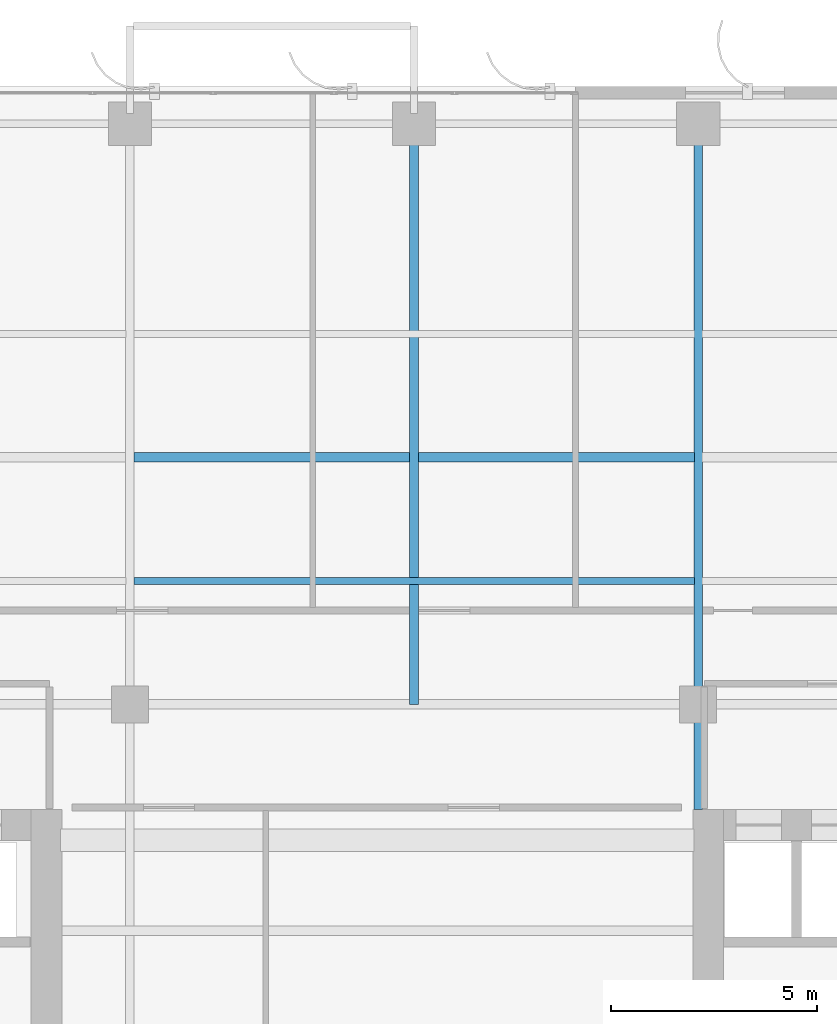
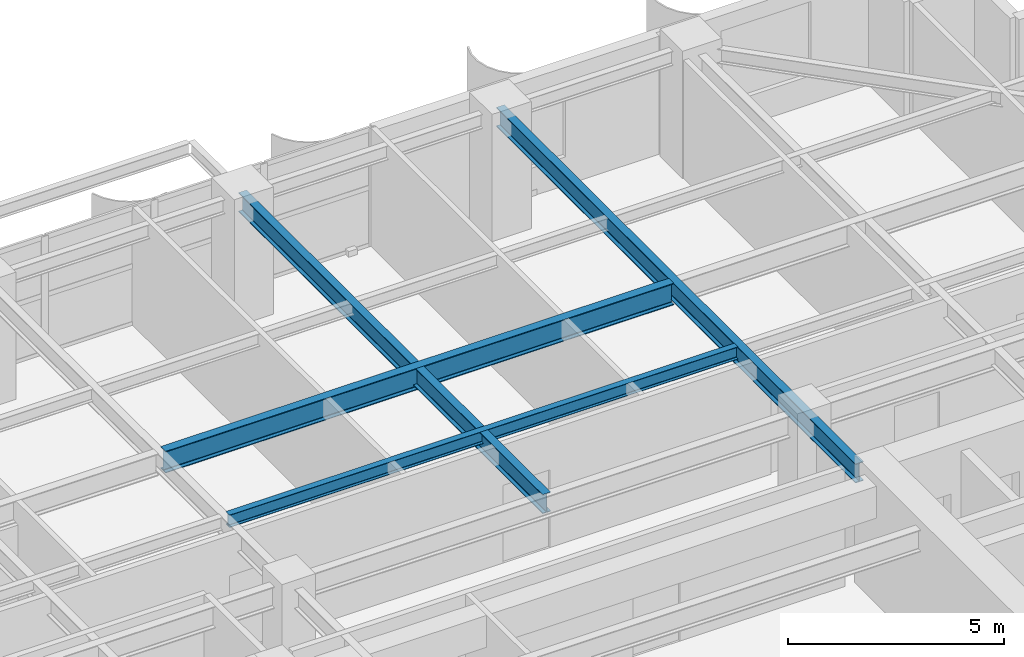
# One storey, part 14 of 27: 4 beams.
"""IFC4 building model written with IfcOpenShell, lengths in metres."""

from ifc_helpers import new_model, si_unit, direction, frame, origin, origin_2d, place, context, subcontext, project, spatial, i_section, extrude, source, transform, mapped, material, material_profile, profile_set, type_object, element, save


model = new_model("IFC4")

# Units and contexts
model_context = context("Model", 3, precision=1e-05, world=origin(), true_north=direction((0.0, 1.0)))
body_context = subcontext(model_context, "Body", "Model", "MODEL_VIEW")
ifc_project = project(units=[si_unit("LENGTHUNIT", "METRE"), si_unit("AREAUNIT", "SQUARE_METRE"), si_unit("VOLUMEUNIT", "CUBIC_METRE"), si_unit("PLANEANGLEUNIT", "RADIAN"), si_unit("MASSUNIT", "GRAM", prefix="KILO")], contexts=[model_context])

# Site, building, storey
site_placement = place(None, origin())
site = spatial("IfcSite", under=ifc_project, at=site_placement, CompositionType="ELEMENT")
building_placement = place(site_placement, origin())
building = spatial("IfcBuilding", under=site, at=building_placement, Name="Khoralis Quay Care Tower", CompositionType="ELEMENT")
storey_placement = place(building_placement, frame((0.0, 0.0, 105.300048828125)))
storey = spatial("IfcBuildingStorey", under=building, at=storey_placement, Name="L27", CompositionType="ELEMENT", Elevation=105.300048828125)

# Beams
ifc_material = material(Name="Steel S355", Category="steel")
ifc_material_profile_1 = material_profile(ifc_material, i_section(OverallWidth=0.22998046875, OverallDepth=0.616943359375, WebThickness=0.01318359375, FlangeThickness=0.022216796875, FilletRadius=0.01806640625, at=origin_2d()), Name="Steel S355")
ifc_profile_set_1 = profile_set([ifc_material_profile_1], Name="Steel S355")
beam_type_1 = type_object("IfcBeamType", Name="BM-W610X140", PredefinedType="BEAM", material=ifc_profile_set_1)
shared_shape_1 = source(origin(), body_context, "Body", "SweptSolid", [
    extrude(i_section(OverallWidth=0.22998046875, OverallDepth=0.616943359375, WebThickness=0.01318359375, FlangeThickness=0.022216796875, FilletRadius=0.01806640625, at=origin_2d()), origin(), (0.0, 0.0, 1.0), 13.61181640625),
])
beam_1_placement = place(storey_placement, frame((17.194091796875, 36.0, 3.031494140625), z_axis=(1.0, 0.0, 0.0), x_axis=(0.0, 1.0, 0.0)))
element("IfcBeam", 1, at=beam_1_placement, inside=storey, type_object=beam_type_1, Name="BM-TGCC-L27-360", PredefinedType="BEAM", context=body_context, shape_type="MappedRepresentation", body=[
    mapped(shared_shape_1, transform((0.0, 0.0, 0.0), scale=1.0)),
])
ifc_material_profile_2 = material_profile(ifc_material, i_section(OverallWidth=0.2119140625, OverallDepth=0.5439453125, WebThickness=0.01318359375, FlangeThickness=0.021240234375, FilletRadius=0.01611328125, at=origin_2d()), Name="Steel S355")
ifc_profile_set_2 = profile_set([ifc_material_profile_2], Name="Steel S355")
beam_type_2 = type_object("IfcBeamType", Name="BM-W530X123", PredefinedType="BEAM", material=ifc_profile_set_2)
shared_shape_2 = source(origin(), body_context, "Body", "SweptSolid", [
    extrude(i_section(OverallWidth=0.2119140625, OverallDepth=0.5439453125, WebThickness=0.01318359375, FlangeThickness=0.021240234375, FilletRadius=0.01611328125, at=origin_2d()), origin(), (0.0, 0.0, 1.0), 14.10009765625),
])
beam_2_placement = place(storey_placement, frame((24.0, 30.0, 3.06787109375), z_axis=(0.0, 1.0, 0.0), x_axis=(-1.0, 0.0, 0.0)))
element("IfcBeam", 2, at=beam_2_placement, inside=storey, type_object=beam_type_2, Name="BM-TGYN-L27-240", PredefinedType="BEAM", context=body_context, shape_type="MappedRepresentation", body=[
    mapped(shared_shape_2, transform((0.0, 0.0, 0.0), scale=1.0)),
])
shared_shape_3 = source(origin(), body_context, "Body", "SweptSolid", [
    extrude(i_section(OverallWidth=0.2119140625, OverallDepth=0.5439453125, WebThickness=0.01318359375, FlangeThickness=0.021240234375, FilletRadius=0.01611328125, at=origin_2d()), origin(), (0.0, 0.0, 1.0), 16.652099609375),
])
beam_3_placement = place(storey_placement, frame((30.89990234375, 27.447998046875, 3.06787109375), z_axis=(0.0, 1.0, 0.0), x_axis=(-1.0, 0.0, 0.0)))
element("IfcBeam", 3, at=beam_3_placement, inside=storey, type_object=beam_type_2, Name="BM-TGYN-L27-309", PredefinedType="BEAM", context=body_context, shape_type="MappedRepresentation", body=[
    mapped(shared_shape_3, transform((0.0, 0.0, 0.0), scale=1.0)),
])
ifc_material_profile_3 = material_profile(ifc_material, i_section(OverallWidth=0.1708984375, OverallDepth=0.35498046875, WebThickness=0.007080078125, FlangeThickness=0.01171875, FilletRadius=0.012939453125, at=origin_2d()), Name="Steel S355")
ifc_profile_set_3 = profile_set([ifc_material_profile_3], Name="Steel S355")
beam_type_3 = type_object("IfcBeamType", Name="BM-W360X51", PredefinedType="JOIST", material=ifc_profile_set_3)
shared_shape_4 = source(origin(), body_context, "Body", "SweptSolid", [
    extrude(i_section(OverallWidth=0.1708984375, OverallDepth=0.35498046875, WebThickness=0.007080078125, FlangeThickness=0.01171875, FilletRadius=0.012939453125, at=origin_2d()), origin(), (0.0, 0.0, 1.0), 13.61181640625),
])
beam_4_placement = place(storey_placement, frame((17.194091796875, 33.0, 3.162353515625), z_axis=(1.0, 0.0, 0.0), x_axis=(0.0, 1.0, 0.0)))
element("IfcBeam", 4, at=beam_4_placement, inside=storey, type_object=beam_type_3, Name="BM-TJS-L27-30", PredefinedType="JOIST", context=body_context, shape_type="MappedRepresentation", body=[
    mapped(shared_shape_4, transform((0.0, 0.0, 0.0), scale=1.0)),
])

save(model, "model.ifc")
